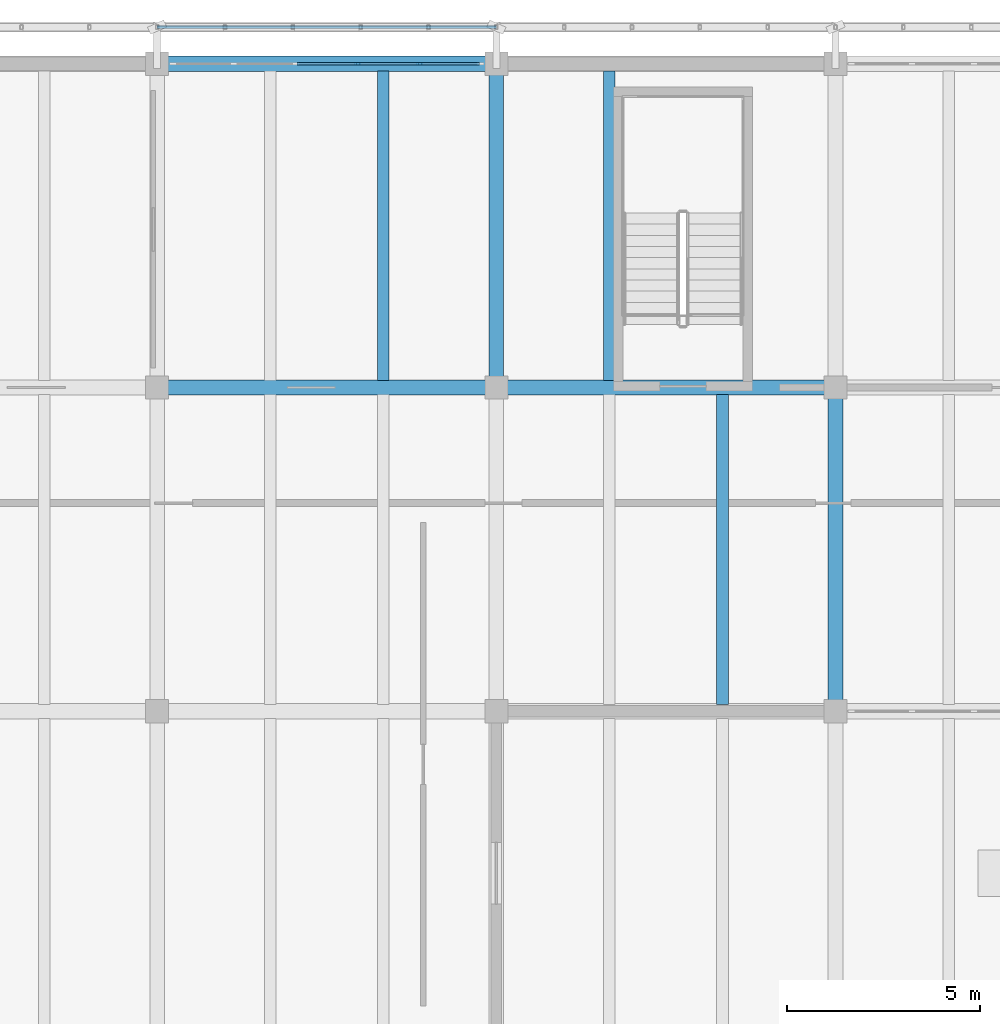
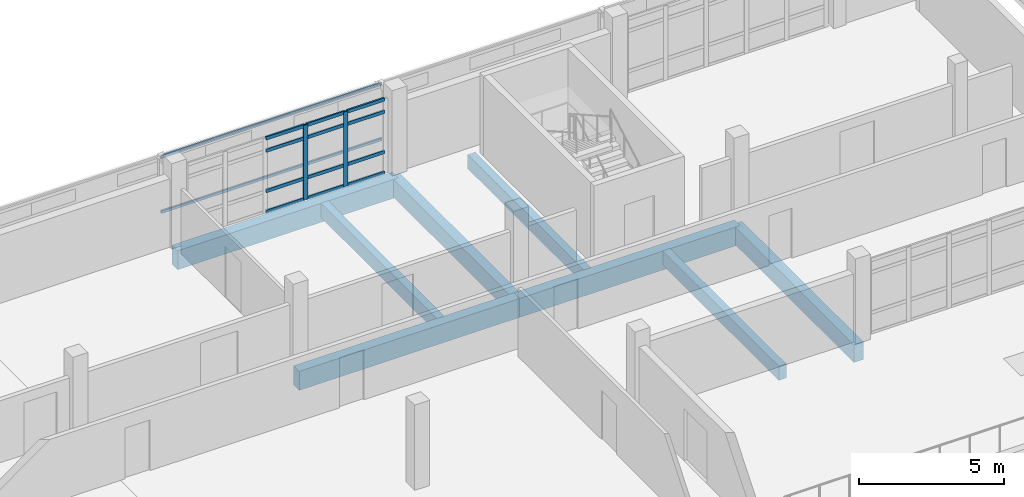
# One storey, part 31 of 50: 16 members, 8 beams, 1 element without a shape of its own.
"""IFC4 building model written with IfcOpenShell, lengths in metres."""

from ifc_helpers import new_model, si_unit, direction, frame, origin, origin_2d, place, context, subcontext, project, spatial, rectangle, hollow_rectangle, extrude, material, material_profile, profile_set, type_object, element, aggregate, save


model = new_model("IFC4")

# Units and contexts
model_context = context("Model", 3, precision=1e-05, world=origin(), true_north=direction((0.0, 1.0)))
body_context = subcontext(model_context, "Body", "Model", "MODEL_VIEW")
ifc_project = project(units=[si_unit("LENGTHUNIT", "METRE"), si_unit("AREAUNIT", "SQUARE_METRE"), si_unit("VOLUMEUNIT", "CUBIC_METRE"), si_unit("PLANEANGLEUNIT", "RADIAN"), si_unit("MASSUNIT", "GRAM", prefix="KILO")], contexts=[model_context])

# Site, building, storey
site_placement = place(None, origin())
site = spatial("IfcSite", under=ifc_project, at=site_placement, CompositionType="ELEMENT")
building_placement = place(site_placement, origin())
building = spatial("IfcBuilding", under=site, at=building_placement, Name="Cinderway Yard Community Centre", CompositionType="ELEMENT")
storey_placement = place(building_placement, frame((0.0, 0.0, 12.89990234375)))
storey = spatial("IfcBuildingStorey", under=building, at=storey_placement, Name="L03", CompositionType="ELEMENT", Elevation=12.89990234375)

# Curtain wall, members
ifc_material_1 = material(Name="Aluminium 6063-T6", Category="aluminium")
curtain_wall_type = type_object("IfcCurtainWallType", Name="ENV-CW-TYPE-33", PredefinedType="USERDEFINED", material=ifc_material_1)
curtain_wall_placement = place(storey_placement, origin())
curtain_wall = element("IfcCurtainWall", 1, at=curtain_wall_placement, inside=storey, type_object=curtain_wall_type, Name="V4 Street Curtain Wall ENV-CW-L03-HS-0169", ObjectType="GLAZED CURTAIN WALL", PredefinedType="USERDEFINED")
ifc_material_profile_1 = material_profile(ifc_material_1, rectangle(XDim=0.06494140625, YDim=0.179931640625, at=origin_2d()), Name="Aluminium 6063-T6")
ifc_profile_set_1 = profile_set([ifc_material_profile_1], Name="Aluminium 6063-T6")
member_type_1 = type_object("IfcMemberType", Name="ENV-CW-MULL-180", PredefinedType="MULLION", material=ifc_profile_set_1)
member_1_placement = place(storey_placement, frame((106.803955078125, 115.199951171875, 0.0), z_axis=(0.0, 0.0, 1.0), x_axis=(0.0, 1.0, 0.0)))
member_1 = element("IfcMember", 2, at=member_1_placement, type_object=member_type_1, Name="CW-33 mullion 4", PredefinedType="MULLION", context=body_context, shape_type="SweptSolid", body=[
    extrude(rectangle(XDim=0.06494140625, YDim=0.179931640625, at=origin_2d()), origin(), (0.0, 0.0, 1.0), 3.150146484375),
])
member_2_placement = place(storey_placement, frame((108.412109375, 115.199951171875, 0.0), z_axis=(0.0, 0.0, 1.0), x_axis=(0.0, 1.0, 0.0)))
member_2 = element("IfcMember", 3, at=member_2_placement, type_object=member_type_1, Name="CW-33 mullion 5", PredefinedType="MULLION", context=body_context, shape_type="SweptSolid", body=[
    extrude(rectangle(XDim=0.06494140625, YDim=0.179931640625, at=origin_2d()), origin(), (0.0, 0.0, 1.0), 3.150146484375),
])
ifc_material_profile_2 = material_profile(ifc_material_1, rectangle(XDim=0.06494140625, YDim=0.139892578125, at=origin_2d()), Name="Aluminium 6063-T6")
ifc_profile_set_2 = profile_set([ifc_material_profile_2], Name="Aluminium 6063-T6")
member_type_2 = type_object("IfcMemberType", Name="ENV-CW-TRAN-140", PredefinedType="USERDEFINED", material=ifc_profile_set_2)
member_3_placement = place(storey_placement, frame((105.22607421875, 115.199951171875, 0.030029296875), z_axis=(1.0, 0.0, 0.0), x_axis=(0.0, 1.0, 0.0)))
member_3 = element("IfcMember", 4, at=member_3_placement, type_object=member_type_2, Name="CW-33 transom 3.1", ObjectType="TRANSOM", PredefinedType="USERDEFINED", context=body_context, shape_type="SweptSolid", body=[
    extrude(rectangle(XDim=0.06494140625, YDim=0.139892578125, at=origin_2d()), origin(), (0.0, 0.0, 1.0), 1.5478515625),
])
member_4_placement = place(storey_placement, frame((105.22607421875, 115.199951171875, 0.900146484375), z_axis=(1.0, 0.0, 0.0), x_axis=(0.0, 1.0, 0.0)))
member_4 = element("IfcMember", 5, at=member_4_placement, type_object=member_type_2, Name="CW-33 transom 3.2", ObjectType="TRANSOM", PredefinedType="USERDEFINED", context=body_context, shape_type="SweptSolid", body=[
    extrude(rectangle(XDim=0.06494140625, YDim=0.139892578125, at=origin_2d()), origin(), (0.0, 0.0, 1.0), 1.5478515625),
])
member_5_placement = place(storey_placement, frame((105.22607421875, 115.199951171875, 2.60009765625), z_axis=(1.0, 0.0, 0.0), x_axis=(0.0, 1.0, 0.0)))
member_5 = element("IfcMember", 6, at=member_5_placement, type_object=member_type_2, Name="CW-33 transom 3.3", ObjectType="TRANSOM", PredefinedType="USERDEFINED", context=body_context, shape_type="SweptSolid", body=[
    extrude(rectangle(XDim=0.06494140625, YDim=0.139892578125, at=origin_2d()), origin(), (0.0, 0.0, 1.0), 1.5478515625),
])
member_6_placement = place(storey_placement, frame((105.22607421875, 115.199951171875, 3.1201171875), z_axis=(1.0, 0.0, 0.0), x_axis=(0.0, 1.0, 0.0)))
member_6 = element("IfcMember", 7, at=member_6_placement, type_object=member_type_2, Name="CW-33 transom 3.4", ObjectType="TRANSOM", PredefinedType="USERDEFINED", context=body_context, shape_type="SweptSolid", body=[
    extrude(rectangle(XDim=0.06494140625, YDim=0.139892578125, at=origin_2d()), origin(), (0.0, 0.0, 1.0), 1.5478515625),
])
member_7_placement = place(storey_placement, frame((106.833984375, 115.199951171875, 0.030029296875), z_axis=(1.0, 0.0, 0.0), x_axis=(0.0, 1.0, 0.0)))
member_7 = element("IfcMember", 8, at=member_7_placement, type_object=member_type_2, Name="CW-33 transom 4.1", ObjectType="TRANSOM", PredefinedType="USERDEFINED", context=body_context, shape_type="SweptSolid", body=[
    extrude(rectangle(XDim=0.06494140625, YDim=0.139892578125, at=origin_2d()), origin(), (0.0, 0.0, 1.0), 1.548095703125),
])
member_8_placement = place(storey_placement, frame((106.833984375, 115.199951171875, 0.900146484375), z_axis=(1.0, 0.0, 0.0), x_axis=(0.0, 1.0, 0.0)))
member_8 = element("IfcMember", 9, at=member_8_placement, type_object=member_type_2, Name="CW-33 transom 4.2", ObjectType="TRANSOM", PredefinedType="USERDEFINED", context=body_context, shape_type="SweptSolid", body=[
    extrude(rectangle(XDim=0.06494140625, YDim=0.139892578125, at=origin_2d()), origin(), (0.0, 0.0, 1.0), 1.548095703125),
])
member_9_placement = place(storey_placement, frame((106.833984375, 115.199951171875, 2.60009765625), z_axis=(1.0, 0.0, 0.0), x_axis=(0.0, 1.0, 0.0)))
member_9 = element("IfcMember", 10, at=member_9_placement, type_object=member_type_2, Name="CW-33 transom 4.3", ObjectType="TRANSOM", PredefinedType="USERDEFINED", context=body_context, shape_type="SweptSolid", body=[
    extrude(rectangle(XDim=0.06494140625, YDim=0.139892578125, at=origin_2d()), origin(), (0.0, 0.0, 1.0), 1.548095703125),
])
member_10_placement = place(storey_placement, frame((106.833984375, 115.199951171875, 3.1201171875), z_axis=(1.0, 0.0, 0.0), x_axis=(0.0, 1.0, 0.0)))
member_10 = element("IfcMember", 11, at=member_10_placement, type_object=member_type_2, Name="CW-33 transom 4.4", ObjectType="TRANSOM", PredefinedType="USERDEFINED", context=body_context, shape_type="SweptSolid", body=[
    extrude(rectangle(XDim=0.06494140625, YDim=0.139892578125, at=origin_2d()), origin(), (0.0, 0.0, 1.0), 1.548095703125),
])
member_11_placement = place(storey_placement, frame((108.44189453125, 115.199951171875, 0.030029296875), z_axis=(1.0, 0.0, 0.0), x_axis=(0.0, 1.0, 0.0)))
member_11 = element("IfcMember", 12, at=member_11_placement, type_object=member_type_2, Name="CW-33 transom 5.1", ObjectType="TRANSOM", PredefinedType="USERDEFINED", context=body_context, shape_type="SweptSolid", body=[
    extrude(rectangle(XDim=0.06494140625, YDim=0.139892578125, at=origin_2d()), origin(), (0.0, 0.0, 1.0), 1.51806640625),
])
member_12_placement = place(storey_placement, frame((108.44189453125, 115.199951171875, 0.900146484375), z_axis=(1.0, 0.0, 0.0), x_axis=(0.0, 1.0, 0.0)))
member_12 = element("IfcMember", 13, at=member_12_placement, type_object=member_type_2, Name="CW-33 transom 5.2", ObjectType="TRANSOM", PredefinedType="USERDEFINED", context=body_context, shape_type="SweptSolid", body=[
    extrude(rectangle(XDim=0.06494140625, YDim=0.139892578125, at=origin_2d()), origin(), (0.0, 0.0, 1.0), 1.51806640625),
])
member_13_placement = place(storey_placement, frame((108.44189453125, 115.199951171875, 2.60009765625), z_axis=(1.0, 0.0, 0.0), x_axis=(0.0, 1.0, 0.0)))
member_13 = element("IfcMember", 14, at=member_13_placement, type_object=member_type_2, Name="CW-33 transom 5.3", ObjectType="TRANSOM", PredefinedType="USERDEFINED", context=body_context, shape_type="SweptSolid", body=[
    extrude(rectangle(XDim=0.06494140625, YDim=0.139892578125, at=origin_2d()), origin(), (0.0, 0.0, 1.0), 1.51806640625),
])
member_14_placement = place(storey_placement, frame((108.44189453125, 115.199951171875, 3.1201171875), z_axis=(1.0, 0.0, 0.0), x_axis=(0.0, 1.0, 0.0)))
member_14 = element("IfcMember", 15, at=member_14_placement, type_object=member_type_2, Name="CW-33 transom 5.4", ObjectType="TRANSOM", PredefinedType="USERDEFINED", context=body_context, shape_type="SweptSolid", body=[
    extrude(rectangle(XDim=0.06494140625, YDim=0.139892578125, at=origin_2d()), origin(), (0.0, 0.0, 1.0), 1.51806640625),
])
aggregate(curtain_wall, [member_1, member_2, member_3, member_4, member_5, member_6, member_7, member_8, member_9, member_10, member_11, member_12, member_13, member_14])

# Members
ifc_material_2 = material(Name="Steel S355", Category="steel")
ifc_material_profile_3 = material_profile(ifc_material_2, hollow_rectangle(XDim=0.080078125, YDim=0.1201171875, WallThickness=0.00634765625, InnerFilletRadius=0.00634765625, OuterFilletRadius=0.0126953125, at=origin_2d()), Name="Steel S355")
ifc_profile_set_3 = profile_set([ifc_material_profile_3], Name="Steel S355")
member_type_3 = type_object("IfcMemberType", Name="ENV-MEM-SCREEN-RAIL-120", PredefinedType="STRINGER", material=ifc_profile_set_3)
for number, where, z_axis, x_axis, name in (
    (16, (101.60009765625, 116.14990234375, 0.710205078125), (1.0, 0.0, 0.0), (0.0, 1.0, 0.0), "Screen support rail 0236-BOT"),
    (17, (101.60009765625, 116.14990234375, 3.0400390625), (1.0, 0.0, 0.0), (0.0, 1.0, 0.0), "Screen support rail 0237-TOP"),
):
    element("IfcMember", number, at=place(storey_placement, frame(where, z_axis=z_axis, x_axis=x_axis)), inside=storey, type_object=member_type_3, Name=name, PredefinedType="STRINGER", context=body_context, shape_type="SweptSolid", body=[
        extrude(hollow_rectangle(XDim=0.080078125, YDim=0.1201171875, WallThickness=0.00634765625, InnerFilletRadius=0.00634765625, OuterFilletRadius=0.0126953125, at=origin_2d()), origin(), (0.0, 0.0, 1.0), 8.7998046875),
    ])

# Beams
ifc_material_3 = material(Name="Concrete C35/45", Category="concrete")
ifc_material_profile_4 = material_profile(ifc_material_3, rectangle(XDim=0.300048828125, YDim=0.60009765625, at=origin_2d()), Name="Concrete C35/45")
ifc_profile_set_4 = profile_set([ifc_material_profile_4], Name="Concrete C35/45")
beam_type_1 = type_object("IfcBeamType", Name="STR-BM-RC300X600", PredefinedType="JOIST", material=ifc_profile_set_4)
beam_1_placement = place(storey_placement, frame((107.467041015625, 106.98193359375, -0.539794921875), z_axis=(0.0, 1.0, 0.0), x_axis=(-1.0, 0.0, 0.0)))
element("IfcBeam", 18, at=beam_1_placement, inside=storey, type_object=beam_type_1, Name="Secondary joist STR-BM-L03-BJ02-0793", PredefinedType="JOIST", context=body_context, shape_type="SweptSolid", body=[
    extrude(rectangle(XDim=0.300048828125, YDim=0.60009765625, at=origin_2d()), origin(), (0.0, 0.0, 1.0), 8.0361328125),
])
beam_2_placement = place(storey_placement, frame((116.26708984375, 98.58203125, -0.539794921875), z_axis=(0.0, 1.0, 0.0), x_axis=(-1.0, 0.0, 0.0)))
element("IfcBeam", 19, at=beam_2_placement, inside=storey, type_object=beam_type_1, Name="Secondary joist STR-BM-L03-BJ02-0797", PredefinedType="JOIST", context=body_context, shape_type="SweptSolid", body=[
    extrude(rectangle(XDim=0.300048828125, YDim=0.60009765625, at=origin_2d()), origin(), (0.0, 0.0, 1.0), 8.035888671875),
])
beam_3_placement = place(storey_placement, frame((113.3330078125, 106.98193359375, -0.539794921875), z_axis=(0.0, 1.0, 0.0), x_axis=(-1.0, 0.0, 0.0)))
element("IfcBeam", 20, at=beam_3_placement, inside=storey, type_object=beam_type_1, Name="Secondary joist STR-BM-L03-BJ02-0798", PredefinedType="JOIST", context=body_context, shape_type="SweptSolid", body=[
    extrude(rectangle(XDim=0.300048828125, YDim=0.60009765625, at=origin_2d()), origin(), (0.0, 0.0, 1.0), 8.0361328125),
])
ifc_material_profile_5 = material_profile(ifc_material_3, rectangle(XDim=0.3798828125, YDim=0.75, at=origin_2d()), Name="Concrete C35/45")
ifc_profile_set_5 = profile_set([ifc_material_profile_5], Name="Concrete C35/45")
beam_type_2 = type_object("IfcBeamType", Name="STR-BM-RC380X750", PredefinedType="BEAM", material=ifc_profile_set_5)
beam_4_placement = place(storey_placement, frame((110.39990234375, 106.800048828125, -0.614990234375), z_axis=(0.0, 1.0, 0.0), x_axis=(-1.0, 0.0, 0.0)))
element("IfcBeam", 21, at=beam_4_placement, inside=storey, type_object=beam_type_2, Name="Transverse girder STR-BM-L03-BG06-0740", PredefinedType="BEAM", context=body_context, shape_type="SweptSolid", body=[
    extrude(rectangle(XDim=0.3798828125, YDim=0.75, at=origin_2d()), origin(), (0.0, 0.0, 1.0), 8.39990234375),
])
beam_5_placement = place(storey_placement, frame((119.199951171875, 98.39990234375, -0.614990234375), z_axis=(0.0, 1.0, 0.0), x_axis=(-1.0, 0.0, 0.0)))
element("IfcBeam", 22, at=beam_5_placement, inside=storey, type_object=beam_type_2, Name="Transverse girder STR-BM-L03-BG06-0742", PredefinedType="BEAM", context=body_context, shape_type="SweptSolid", body=[
    extrude(rectangle(XDim=0.3798828125, YDim=0.75, at=origin_2d()), origin(), (0.0, 0.0, 1.0), 8.400146484375),
])
ifc_material_4 = material(Name="Concrete C40/50", Category="concrete")
ifc_material_profile_6 = material_profile(ifc_material_4, rectangle(XDim=0.39990234375, YDim=0.800048828125, at=origin_2d()), Name="Concrete C40/50")
ifc_profile_set_6 = profile_set([ifc_material_profile_6], Name="Concrete C40/50")
beam_type_3 = type_object("IfcBeamType", Name="STR-BM-RC400X800", PredefinedType="BEAM", material=ifc_profile_set_6)
beam_6_placement = place(storey_placement, frame((101.60009765625, 106.800048828125, -0.639892578125), z_axis=(1.0, 0.0, 0.0), x_axis=(0.0, 1.0, 0.0)))
element("IfcBeam", 23, at=beam_6_placement, inside=storey, type_object=beam_type_3, Name="Primary girder STR-BM-L03-BG05-0699", PredefinedType="BEAM", context=body_context, shape_type="SweptSolid", body=[
    extrude(rectangle(XDim=0.39990234375, YDim=0.800048828125, at=origin_2d()), origin(), (0.0, 0.0, 1.0), 8.7998046875),
])
beam_7_placement = place(storey_placement, frame((110.39990234375, 106.800048828125, -0.639892578125), z_axis=(1.0, 0.0, 0.0), x_axis=(0.0, 1.0, 0.0)))
element("IfcBeam", 24, at=beam_7_placement, inside=storey, type_object=beam_type_3, Name="Primary girder STR-BM-L03-BG05-0700", PredefinedType="BEAM", context=body_context, shape_type="SweptSolid", body=[
    extrude(rectangle(XDim=0.39990234375, YDim=0.800048828125, at=origin_2d()), origin(), (0.0, 0.0, 1.0), 8.800048828125),
])
beam_8_placement = place(storey_placement, frame((101.60009765625, 115.199951171875, -0.639892578125), z_axis=(1.0, 0.0, 0.0), x_axis=(0.0, 1.0, 0.0)))
element("IfcBeam", 25, at=beam_8_placement, inside=storey, type_object=beam_type_3, Name="Primary girder STR-BM-L03-BG05-0710", PredefinedType="BEAM", context=body_context, shape_type="SweptSolid", body=[
    extrude(rectangle(XDim=0.39990234375, YDim=0.800048828125, at=origin_2d()), origin(), (0.0, 0.0, 1.0), 8.7998046875),
])

save(model, "model.ifc")
